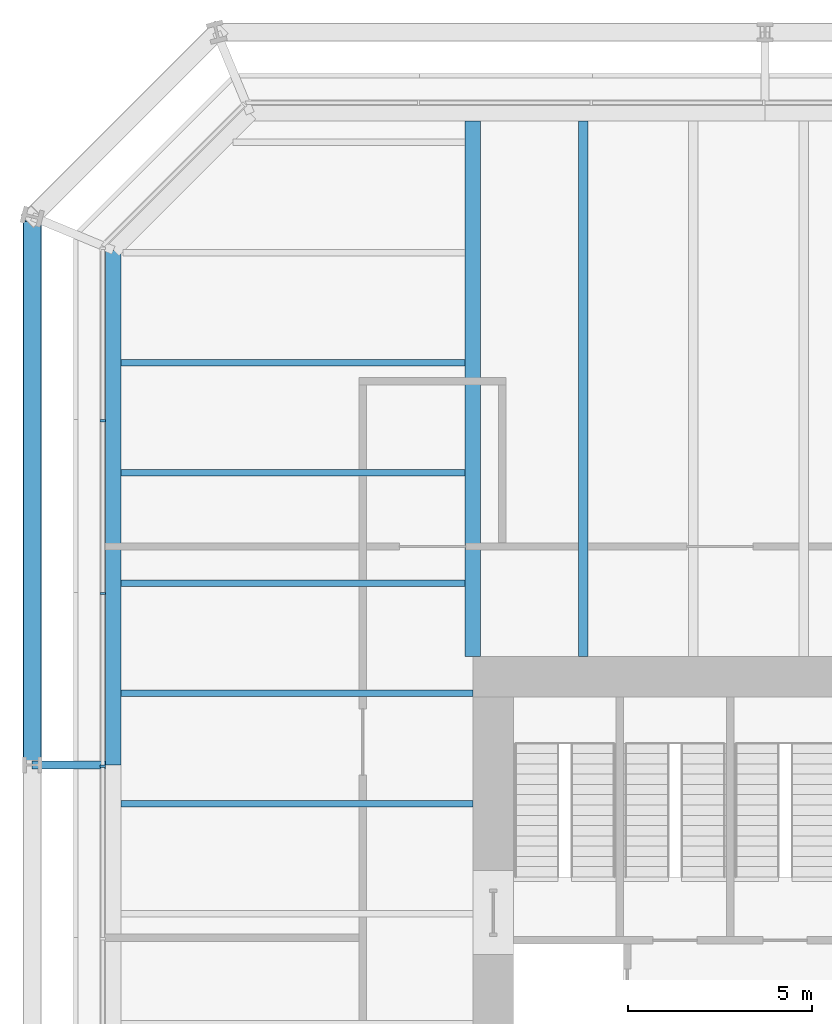
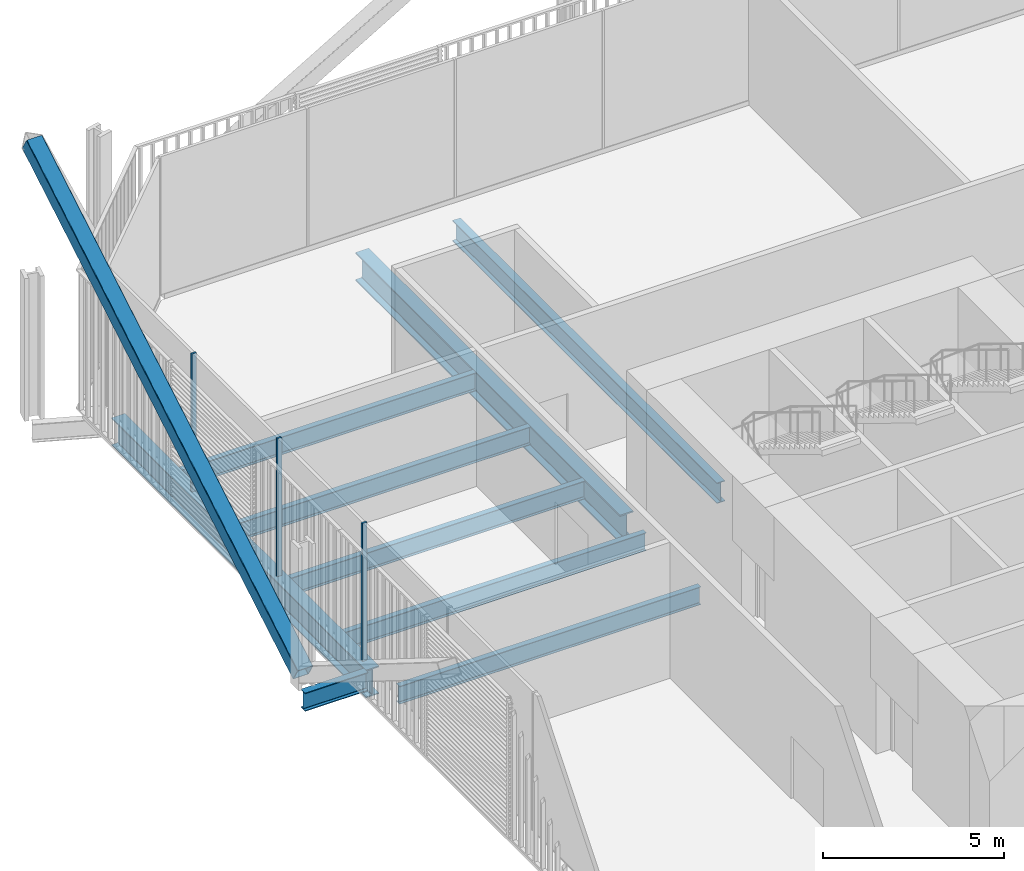
# One storey, part 12 of 22: 9 beams, 4 members, 1 element without a shape of its own.
"""IFC4 building model written with IfcOpenShell, lengths in metres."""

from ifc_helpers import new_model, si_unit, direction, frame, origin, origin_2d, place, context, subcontext, project, spatial, rectangle, hollow_rectangle, i_section, extrude, material, layer, layer_set, material_profile, profile_set, type_object, element, aggregate, save


model = new_model("IFC4")

# Units and contexts
model_context = context("Model", 3, precision=1e-05, world=origin(), true_north=direction((0.0, 1.0)))
body_context = subcontext(model_context, "Body", "Model", "MODEL_VIEW")
ifc_project = project(units=[si_unit("LENGTHUNIT", "METRE"), si_unit("AREAUNIT", "SQUARE_METRE"), si_unit("VOLUMEUNIT", "CUBIC_METRE"), si_unit("PLANEANGLEUNIT", "RADIAN"), si_unit("MASSUNIT", "GRAM", prefix="KILO")], contexts=[model_context])

# Site, building, storey
site_placement = place(None, origin())
site = spatial("IfcSite", under=ifc_project, at=site_placement, CompositionType="ELEMENT")
building_placement = place(site_placement, origin())
building = spatial("IfcBuilding", under=site, at=building_placement, Name="Millrace Tower", CompositionType="ELEMENT")
storey_placement = place(building_placement, frame((0.0, 0.0, 20.89990234375)))
storey = spatial("IfcBuildingStorey", under=building, at=storey_placement, Name="L05", CompositionType="ELEMENT", Elevation=20.89990234375)

# Curtain wall, members
ifc_material_1 = material(Name="Aluminium and glass", Category="aluminium")
ifc_layer = layer(ifc_material_1, 0.14990234375)
ifc_layer_set = layer_set([ifc_layer], Name="Aluminium and glass")
curtain_wall_type = type_object("IfcCurtainWallType", Name="CW-2 data hall insulated curtain wall", PredefinedType="NOTDEFINED", material=ifc_layer_set)
curtain_wall_placement = place(storey_placement, origin())
curtain_wall = element("IfcCurtainWall", 1, at=curtain_wall_placement, inside=storey, type_object=curtain_wall_type, Name="Curtain wall A-F08 L05", PredefinedType="NOTDEFINED")
ifc_material_2 = material(Name="Aluminium", Category="aluminium")
ifc_material_profile_1 = material_profile(ifc_material_2, rectangle(XDim=0.06494140625, YDim=0.14990234375, at=origin_2d()))
ifc_profile_set_1 = profile_set([ifc_material_profile_1], Name="Aluminium")
member_type_1 = type_object("IfcMemberType", Name="CW-2 data hall insulated curtain wall mullion", PredefinedType="MULLION", material=ifc_profile_set_1)
member_1_placement = place(storey_placement, frame((-25.074951171875, 16.41748046875, 0.16015625), z_axis=(0.0, 0.0, 1.0), x_axis=(0.0, -1.0, 0.0)))
member_1 = element("IfcMember", 2, at=member_1_placement, type_object=member_type_1, Name="CW2 mullion A-F08.2", PredefinedType="MULLION", context=body_context, shape_type="SweptSolid", body=[
    extrude(rectangle(XDim=0.06494140625, YDim=0.14990234375, at=origin_2d()), origin(), (0.0, 0.0, 1.0), 4.639892578125),
])
member_2_placement = place(storey_placement, frame((-25.074951171875, 11.717529296875, 0.16015625), z_axis=(0.0, 0.0, 1.0), x_axis=(0.0, -1.0, 0.0)))
member_2 = element("IfcMember", 3, at=member_2_placement, type_object=member_type_1, Name="CW2 mullion A-F08.3", PredefinedType="MULLION", context=body_context, shape_type="SweptSolid", body=[
    extrude(rectangle(XDim=0.06494140625, YDim=0.14990234375, at=origin_2d()), origin(), (0.0, 0.0, 1.0), 4.639892578125),
])
member_3_placement = place(storey_placement, frame((-25.074951171875, 7.017578125, 0.16015625), z_axis=(0.0, 0.0, 1.0), x_axis=(0.0, -1.0, 0.0)))
member_3 = element("IfcMember", 4, at=member_3_placement, type_object=member_type_1, Name="CW2 mullion A-F08.4", PredefinedType="MULLION", context=body_context, shape_type="SweptSolid", body=[
    extrude(rectangle(XDim=0.06494140625, YDim=0.14990234375, at=origin_2d()), origin(), (0.0, 0.0, 1.0), 4.639892578125),
])
aggregate(curtain_wall, [member_1, member_2, member_3])

# Member
ifc_material_3 = material(Name="Steel ASTM A500 Grade C", Category="steel")
ifc_material_profile_2 = material_profile(ifc_material_3, hollow_rectangle(XDim=0.508056640625, YDim=0.508056640625, WallThickness=0.022216796875, InnerFilletRadius=0.01123046875, OuterFilletRadius=0.033447265625, at=origin_2d()))
ifc_profile_set_2 = profile_set([ifc_material_profile_2], Name="Steel ASTM A500 Grade C")
member_type_2 = type_object("IfcMemberType", Name="Exoskeleton brace HSS20x20x7/8", PredefinedType="BRACE", material=ifc_profile_set_2)
member_4_placement = place(storey_placement, frame((-27.0, 7.050048828125, 0.400146484375), z_axis=(0.0, 0.861464835883, 0.507817227491), x_axis=(-1.0, 0.0, 0.0)))
element("IfcMember", 5, at=member_4_placement, inside=storey, type_object=member_type_2, Name="BRC-A-L05-14", PredefinedType="BRACE", context=body_context, shape_type="SweptSolid", body=[
    extrude(hollow_rectangle(XDim=0.508056640625, YDim=0.508056640625, WallThickness=0.022216796875, InnerFilletRadius=0.01123046875, OuterFilletRadius=0.033447265625, at=origin_2d()), origin(), (0.0, 0.0, 1.0), 17.3291015625),
])

# Beams
ifc_material_4 = material(Name="Steel ASTM A992 Grade 50", Category="steel")
ifc_material_profile_3 = material_profile(ifc_material_4, i_section(OverallWidth=0.1787109375, OverallDepth=0.60205078125, WebThickness=0.010986328125, FlangeThickness=0.014892578125, FilletRadius=0.0126953125, at=origin_2d()))
ifc_profile_set_3 = profile_set([ifc_material_profile_3], Name="Steel ASTM A992 Grade 50")
beam_type_1 = type_object("IfcBeamType", Name="Floor beam W24x62", PredefinedType="JOIST", material=ifc_profile_set_3)
for number, where, z_axis, x_axis, name in (
    (6, (-24.578369140625, 6.0, -0.52587890625), (1.0, 0.0, 0.0), (0.0, 1.0, 0.0), "BM-A-L05-S1-S027"),
    (7, (-24.578369140625, 9.0, -0.52587890625), (1.0, 0.0, 0.0), (0.0, 1.0, 0.0), "BM-A-L05-S1-S030"),
):
    element("IfcBeam", number, at=place(storey_placement, frame(where, z_axis=z_axis, x_axis=x_axis)), inside=storey, type_object=beam_type_1, Name=name, PredefinedType="JOIST", context=body_context, shape_type="SweptSolid", body=[
        extrude(i_section(OverallWidth=0.1787109375, OverallDepth=0.60205078125, WebThickness=0.010986328125, FlangeThickness=0.014892578125, FilletRadius=0.0126953125, at=origin_2d()), origin(), (0.0, 0.0, 1.0), 9.578369140625),
    ])
for number, where, z_axis, x_axis, name in (
    (8, (-24.578369140625, 12.0, -0.52587890625), (1.0, 0.0, 0.0), (0.0, 1.0, 0.0), "BM-A-L05-S1-S032"),
    (9, (-24.578369140625, 15.0, -0.52587890625), (1.0, 0.0, 0.0), (0.0, 1.0, 0.0), "BM-A-L05-S1-S034"),
    (10, (-24.578369140625, 18.0, -0.52587890625), (1.0, 0.0, 0.0), (0.0, 1.0, 0.0), "BM-A-L05-S1-S036"),
):
    element("IfcBeam", number, at=place(storey_placement, frame(where, z_axis=z_axis, x_axis=x_axis)), inside=storey, type_object=beam_type_1, Name=name, PredefinedType="JOIST", context=body_context, shape_type="SweptSolid", body=[
        extrude(i_section(OverallWidth=0.1787109375, OverallDepth=0.60205078125, WebThickness=0.010986328125, FlangeThickness=0.014892578125, FilletRadius=0.0126953125, at=origin_2d()), origin(), (0.0, 0.0, 1.0), 9.3662109375),
    ])
ifc_material_5 = material(Name="Steel ASTM A992 Grade 50", Category="steel")
ifc_material_profile_4 = material_profile(ifc_material_5, i_section(OverallWidth=0.256591796875, OverallDepth=0.693359375, WebThickness=0.014404296875, FlangeThickness=0.023681640625, FilletRadius=0.01513671875, at=origin_2d()))
ifc_profile_set_4 = profile_set([ifc_material_profile_4], Name="Steel ASTM A992 Grade 50")
beam_type_2 = type_object("IfcBeamType", Name="Floor beam W27x114", PredefinedType="JOIST", material=ifc_profile_set_4)
beam_1_placement = place(storey_placement, frame((-12.0, 10.0, -0.571533203125), z_axis=(0.0, 1.0, 0.0), x_axis=(-1.0, 0.0, 0.0)))
element("IfcBeam", 11, at=beam_1_placement, inside=storey, type_object=beam_type_2, Name="BM-A-L05-S1-S042", PredefinedType="JOIST", context=body_context, shape_type="SweptSolid", body=[
    extrude(i_section(OverallWidth=0.256591796875, OverallDepth=0.693359375, WebThickness=0.014404296875, FlangeThickness=0.023681640625, FilletRadius=0.01513671875, at=origin_2d()), origin(), (0.0, 0.0, 1.0), 14.578369140625),
])
ifc_material_6 = material(Name="Steel ASTM A992 Grade 50", Category="steel")
ifc_material_profile_5 = material_profile(ifc_material_6, i_section(OverallWidth=0.424072265625, OverallDepth=0.947509765625, WebThickness=0.02392578125, FlangeThickness=0.042724609375, FilletRadius=0.024169921875, at=origin_2d()))
ifc_profile_set_5 = profile_set([ifc_material_profile_5], Name="Steel ASTM A992 Grade 50")
beam_type_3 = type_object("IfcBeamType", Name="Girder medium span W36x302", PredefinedType="BEAM", material=ifc_profile_set_5)
beam_2_placement = place(storey_placement, frame((-15.0, 10.0, -0.69873046875), z_axis=(0.0, 1.0, 0.0), x_axis=(-1.0, 0.0, 0.0)))
element("IfcBeam", 12, at=beam_2_placement, inside=storey, type_object=beam_type_3, Name="BM-A-L05-S1-G060", PredefinedType="BEAM", context=body_context, shape_type="SweptSolid", body=[
    extrude(i_section(OverallWidth=0.424072265625, OverallDepth=0.947509765625, WebThickness=0.02392578125, FlangeThickness=0.042724609375, FilletRadius=0.024169921875, at=origin_2d()), origin(), (0.0, 0.0, 1.0), 14.578369140625),
])
ifc_material_7 = material(Name="Steel ASTM A992 Grade 50", Category="steel")
ifc_material_profile_6 = material_profile(ifc_material_7, i_section(OverallWidth=0.23046875, OverallDepth=0.6171875, WebThickness=0.01318359375, FlangeThickness=0.022216796875, FilletRadius=0.012939453125, at=origin_2d()))
ifc_profile_set_6 = profile_set([ifc_material_profile_6], Name="Steel ASTM A992 Grade 50")
beam_type_4 = type_object("IfcBeamType", Name="Link beam W24x94", PredefinedType="BEAM", material=ifc_profile_set_6)
beam_3_placement = place(storey_placement, frame((-25.0, 7.050048828125, -0.533447265625), z_axis=(-1.0, 0.0, 0.0), x_axis=(0.0, -1.0, 0.0)))
element("IfcBeam", 13, at=beam_3_placement, inside=storey, type_object=beam_type_4, Name="LNK-A-L05-S1-03", PredefinedType="BEAM", context=body_context, shape_type="SweptSolid", body=[
    extrude(i_section(OverallWidth=0.23046875, OverallDepth=0.6171875, WebThickness=0.01318359375, FlangeThickness=0.022216796875, FilletRadius=0.012939453125, at=origin_2d()), origin(), (0.0, 0.0, 1.0), 2.0),
])
ifc_material_8 = material(Name="Steel ASTM A992 Grade 50", Category="steel")
ifc_material_profile_7 = material_profile(ifc_material_8, i_section(OverallWidth=0.421630859375, OverallDepth=0.937255859375, WebThickness=0.021240234375, FlangeThickness=0.03662109375, FilletRadius=0.024169921875, at=origin_2d()))
ifc_profile_set_7 = profile_set([ifc_material_profile_7], Name="Steel ASTM A992 Grade 50")
beam_type_5 = type_object("IfcBeamType", Name="Ring beam medium span W36x262", PredefinedType="SPANDREL", material=ifc_profile_set_7)
beam_4_placement = place(storey_placement, frame((-24.7890625, 7.050048828125, -0.693603515625), z_axis=(0.0, 1.0, 0.0), x_axis=(-1.0, 0.0, 0.0)))
element("IfcBeam", 14, at=beam_4_placement, inside=storey, type_object=beam_type_5, Name="RNG-A-L05-S1-03", PredefinedType="SPANDREL", context=body_context, shape_type="SweptSolid", body=[
    extrude(i_section(OverallWidth=0.421630859375, OverallDepth=0.937255859375, WebThickness=0.021240234375, FlangeThickness=0.03662109375, FilletRadius=0.024169921875, at=origin_2d()), origin(), (0.0, 0.0, 1.0), 14.0126953125),
])

save(model, "model.ifc")
